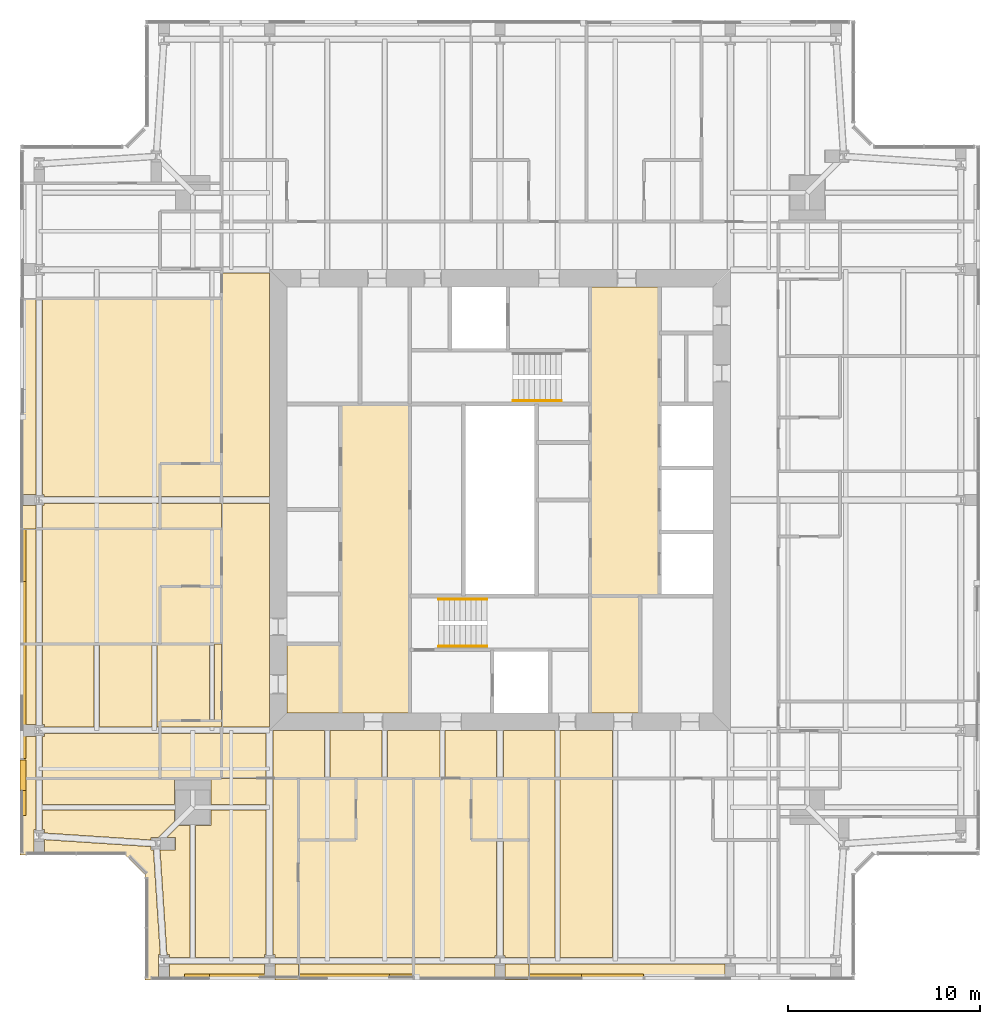
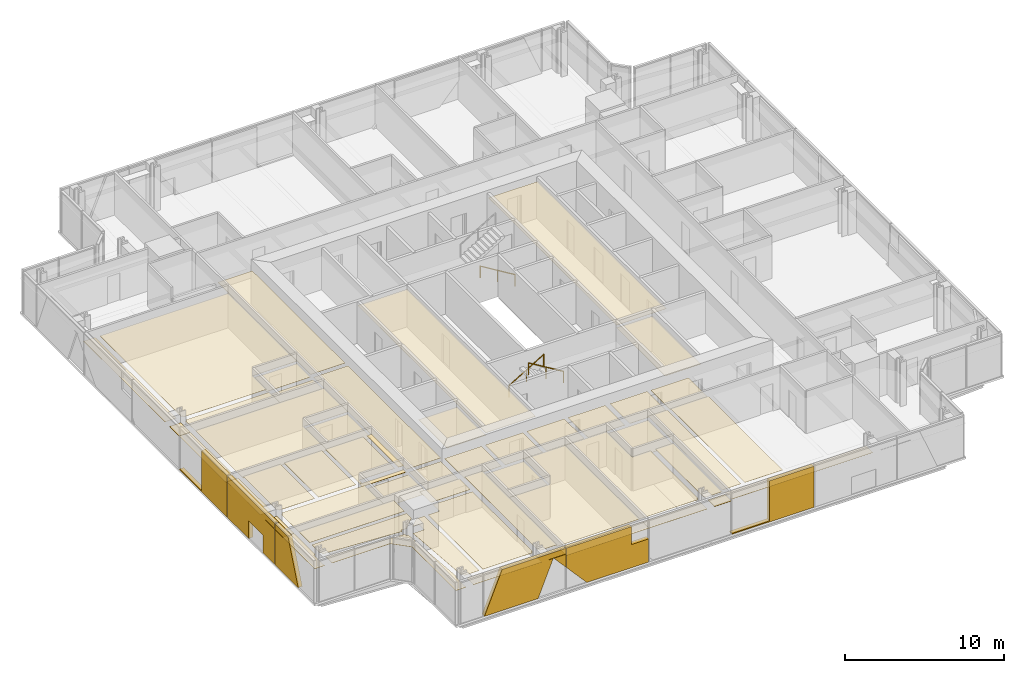
# One storey, part 16 of 18: 58 coverings, 3 railings.
"""IFC4 building model written with IfcOpenShell, lengths in metres."""

import ifcopenshell
import ifcopenshell.guid

model = None  # the IFC model being written
_history = None  # IfcOwnerHistory: only IFC2X3 demands one
_inside = {}  # id of a spatial element -> (the spatial element, [elements in it])
_under = {}  # id of a project, library or spatial element -> (it, [spatial elements below it])
_declared = {}  # id of a project -> (the project, [libraries it declares])
_typed = {}  # id of a type object -> (the type object, [elements of that type])
_made_of = {}  # id of a material, layer set ... -> (it, [elements and type objects made of it])


def new_model(schema):
    """Start an empty IFC model of exactly this schema.

    Asked for "IFC4X3", IfcOpenShell would pick the latest addendum, in which some entities
    have other attributes; the version numbers below select the first issue.
    IFC2X3 requires an IfcOwnerHistory on every rooted entity: one is made here for all.
    """
    global model, _history
    if schema == "IFC4X3":
        model = ifcopenshell.file(schema_version=(4, 3, 0, 0))
    else:
        model = ifcopenshell.file(schema=schema)
    _inside.clear()
    _under.clear()
    _declared.clear()
    _typed.clear()
    _made_of.clear()
    _history = None
    if model.schema == "IFC2X3":
        org = make("IfcOrganization", Name="unknown")
        user = make(
            "IfcPersonAndOrganization",
            ThePerson=make("IfcPerson", FamilyName="unknown"),
            TheOrganization=org,
        )
        app = make(
            "IfcApplication",
            ApplicationDeveloper=org,
            Version="unknown",
            ApplicationFullName="unknown",
            ApplicationIdentifier="unknown",
        )
        _history = make(
            "IfcOwnerHistory",
            OwningUser=user,
            OwningApplication=app,
            ChangeAction="ADDED",
            CreationDate=0,
        )
    return model


def make(cls, **values):
    """One entity of the class cls with the attributes given. An attribute that is None is left unset."""
    return model.create_entity(
        cls, **{name: value for name, value in values.items() if value is not None}
    )


def rooted(cls, **values):
    """An entity with a GlobalId (a new one), such as an element, a storey or a relation."""
    return make(cls, GlobalId=ifcopenshell.guid.new(), OwnerHistory=_history, **values)


def si_unit(unit_type, name, prefix=None):
    """IfcSIUnit, for example si_unit("LENGTHUNIT", "METRE", prefix="MILLI")."""
    return make("IfcSIUnit", UnitType=unit_type, Prefix=prefix, Name=name)


def assignment(units):
    """IfcUnitAssignment: the units of a project."""
    return None if units is None else make("IfcUnitAssignment", Units=units)


def point(xyz):
    """IfcCartesianPoint."""
    return None if xyz is None else make("IfcCartesianPoint", Coordinates=xyz)


def direction(xyz):
    """IfcDirection."""
    return None if xyz is None else make("IfcDirection", DirectionRatios=xyz)


def frame(location, z_axis=None, x_axis=None):
    """IfcAxis2Placement3D, a coordinate frame: its origin and axes. An axis left out is left unset."""
    return make(
        "IfcAxis2Placement3D",
        Location=point(location),
        Axis=direction(z_axis),
        RefDirection=direction(x_axis),
    )


def frame_2d(location, x_axis=None):
    """IfcAxis2Placement2D, a coordinate frame in the plane: its origin and x axis."""
    return make(
        "IfcAxis2Placement2D", Location=point(location), RefDirection=direction(x_axis)
    )


def origin():
    """The frame at (0, 0, 0) with its axes left unset."""
    return frame((0.0, 0.0, 0.0))


def origin_2d():
    """The frame at (0, 0) in the plane with its x axis left unset."""
    return frame_2d((0.0, 0.0))


def place(relative_to, where):
    """IfcLocalPlacement: puts the frame where relative to a parent placement (None: the world)."""
    return make(
        "IfcLocalPlacement", PlacementRelTo=relative_to, RelativePlacement=where
    )


def context(
    kind, dimensions, precision=None, world=None, true_north=None, identifier=None
):
    """IfcGeometricRepresentationContext, for example the 3D "Model" context."""
    return make(
        "IfcGeometricRepresentationContext",
        ContextIdentifier=identifier,
        ContextType=kind,
        CoordinateSpaceDimension=dimensions,
        Precision=precision,
        WorldCoordinateSystem=world,
        TrueNorth=true_north,
    )


def subcontext(parent, identifier, kind, view, scale=None):
    """IfcGeometricRepresentationSubContext, for example "Body" below "Model"."""
    return make(
        "IfcGeometricRepresentationSubContext",
        ContextIdentifier=identifier,
        ContextType=kind,
        ParentContext=parent,
        TargetScale=scale,
        TargetView=view,
    )


def project(units=None, contexts=None):
    """IfcProject with its units and contexts."""
    return rooted(
        "IfcProject",
        Name="project",
        RepresentationContexts=contexts,
        UnitsInContext=assignment(units),
    )


def spatial(cls, under=None, at=None, **own):
    """A site, building, storey or space (cls), placed at a placement, below another one or the project."""
    s = rooted(cls, ObjectPlacement=at, **own)
    if under is not None:
        _under.setdefault(under.id(), (under, []))[1].append(s)
    return s


def polyline(points):
    """IfcPolyline through the points."""
    return make("IfcPolyline", Points=[point(p) for p in points])


def profile(cls, at=None, kind="AREA", **sizes):
    """A parametric profile (cls). Its sizes go by their IFC names, for example OverallWidth=200.0."""
    return make(cls, ProfileType=kind, Position=at, **sizes)


def circle(**sizes):
    """IfcCircleProfileDef."""
    return profile("IfcCircleProfileDef", **sizes)


def outline(outer, holes=None, kind="AREA"):
    """IfcArbitraryClosedProfileDef: a profile drawn as a closed curve; with holes, ...WithVoids."""
    if holes is None:
        return make("IfcArbitraryClosedProfileDef", ProfileType=kind, OuterCurve=outer)
    return make(
        "IfcArbitraryProfileDefWithVoids",
        ProfileType=kind,
        OuterCurve=outer,
        InnerCurves=holes,
    )


def extrude(swept, where, along, depth):
    """IfcExtrudedAreaSolid: the profile swept, set in the frame where, extruded along a direction by depth."""
    return make(
        "IfcExtrudedAreaSolid",
        SweptArea=swept,
        Position=where,
        ExtrudedDirection=direction(along),
        Depth=depth,
    )


def shape(context_of_items, identifier, shape_type, items):
    """IfcShapeRepresentation: the items that make up one representation, for example the "Body"."""
    return make(
        "IfcShapeRepresentation",
        ContextOfItems=context_of_items,
        RepresentationIdentifier=identifier,
        RepresentationType=shape_type,
        Items=items,
    )


def material(Name=None, Category=None):
    """IfcMaterial."""
    return make("IfcMaterial", Name=Name, Category=Category)


def layer(
    of_material, thickness, ventilated=None, Name=None, Category=None, Priority=None
):
    """IfcMaterialLayer: one layer of a wall or slab, of a material (None: an air gap)."""
    return make(
        "IfcMaterialLayer",
        Material=of_material,
        LayerThickness=thickness,
        IsVentilated=ventilated,
        Name=Name,
        Category=Category,
        Priority=Priority,
    )


def layer_set(layers, Name=None):
    """IfcMaterialLayerSet."""
    return make("IfcMaterialLayerSet", MaterialLayers=layers, LayerSetName=Name)


def made_of(thing, what):
    """Note that an element or type object is made of a material, layer set ...; save() writes the relation."""
    if what is not None:
        _made_of.setdefault(what.id(), (what, []))[1].append(thing)
    return thing


def type_object(cls, material=None, **own):
    """A type object (cls), such as IfcWallType, which elements share."""
    return made_of(rooted(cls, **own), material)


def element(
    cls,
    number,
    at=None,
    inside=None,
    cuts=None,
    type_object=None,
    material=None,
    context=None,
    identifier="Body",
    shape_type=None,
    held_by="IfcProductDefinitionShape",
    body=None,
    shapes=None,
    **own,
):
    """One element of the class cls, such as IfcWall. Its Tag is "e" and its number.

    at: its placement. inside: the storey or other place that contains it. cuts: it is an
    opening in that element (IfcRelVoidsElement). A single representation is given by context,
    identifier, shape_type and body (its items); several are given by shapes. held_by: the class
    of the entity that holds the representations. save() writes the other relations.
    """
    e = rooted(cls, Tag="e%d" % number, ObjectPlacement=at, **own)
    if body is not None:
        shapes = [shape(context, identifier, shape_type, body)]
    if shapes is not None:
        e.Representation = make(held_by, Representations=shapes)
    if inside is not None:
        _inside.setdefault(inside.id(), (inside, []))[1].append(e)
    if cuts is not None:
        rooted(
            "IfcRelVoidsElement", RelatingBuildingElement=cuts, RelatedOpeningElement=e
        )
    if type_object is not None:
        _typed.setdefault(type_object.id(), (type_object, []))[1].append(e)
    return made_of(e, material)


def aggregate(whole, parts):
    """IfcRelAggregates: a whole, such as a stair, and the parts it consists of."""
    return rooted("IfcRelAggregates", RelatingObject=whole, RelatedObjects=parts)


def save(model, path):
    """Write the relations noted so far, then the file.

    IfcRelAggregates (storeys below a building ...), IfcRelContainedInSpatialStructure (elements
    in a storey), IfcRelDefinesByType, IfcRelAssociatesMaterial and IfcRelDeclares: one each for
    every whole, place, type object, material and project.
    """
    for whole, parts in _under.values():
        aggregate(whole, parts)
    for where, things in _inside.values():
        rooted(
            "IfcRelContainedInSpatialStructure",
            RelatedElements=things,
            RelatingStructure=where,
        )
    for kind, things in _typed.values():
        rooted("IfcRelDefinesByType", RelatedObjects=things, RelatingType=kind)
    for what, things in _made_of.values():
        rooted("IfcRelAssociatesMaterial", RelatedObjects=things, RelatingMaterial=what)
    for by, libraries in _declared.values():
        rooted("IfcRelDeclares", RelatingContext=by, RelatedDefinitions=libraries)
    model.write(path)


model = new_model("IFC4")

# Units and contexts
model_context = context("Model", 3, precision=1e-05, world=origin(), true_north=direction((0.0, 1.0)))
body_context = subcontext(model_context, "Body", "Model", "MODEL_VIEW")
ifc_project = project(units=[si_unit("LENGTHUNIT", "METRE"), si_unit("AREAUNIT", "SQUARE_METRE"), si_unit("VOLUMEUNIT", "CUBIC_METRE"), si_unit("PLANEANGLEUNIT", "RADIAN"), si_unit("MASSUNIT", "GRAM", prefix="KILO")], contexts=[model_context])

# Site, building, storey
site_placement = place(None, origin())
site = spatial("IfcSite", under=ifc_project, at=site_placement, CompositionType="ELEMENT")
building_placement = place(site_placement, origin())
building = spatial("IfcBuilding", under=site, at=building_placement, Name="Fenwick Lantern Interchange", CompositionType="ELEMENT")
storey_placement = place(building_placement, frame((0.0, 0.0, 290.0)))
storey = spatial("IfcBuildingStorey", under=building, at=storey_placement, Name="L70", CompositionType="ELEMENT", Elevation=290.0)

# Coverings
ifc_material_1 = material(Name="Granite cladding, warm grey flamed finish, on aluminium carrier frame", Category="masonry")
ifc_layer_1 = layer(ifc_material_1, 0.300048828125)
ifc_layer_set_1 = layer_set([ifc_layer_1], Name="BRACE CASING PANEL 300")
covering_type_1 = type_object("IfcCoveringType", Name="BRACE CASING PANEL 300", PredefinedType="CLADDING", material=ifc_layer_set_1)
covering_1_placement = place(storey_placement, frame((6.60009765625, 0.10009765625, 0.0), z_axis=(0.0, 0.0, 1.0), x_axis=(1.0, 0.0, 0.0)))
element("IfcCovering", 1, at=covering_1_placement, inside=storey, type_object=covering_type_1, Name="Brace casing 01 bay 01a", PredefinedType="CLADDING", context=body_context, shape_type="SweptSolid", body=[
    extrude(outline(polyline([(1.9765625, 0.0), (5.864501953125, 0.0), (6.975830078125, 2.724365234375), (7.8701171875, 1.719482421875), (7.8701171875, 3.14990234375), (3.261474609375, 3.14990234375), (1.9765625, 0.0)])), frame((0.0, 0.2099609375, 0.0), z_axis=(0.0, -1.0, 0.0), x_axis=(1.0, 0.0, 0.0)), (0.0, 0.0, 1.0), 0.300048828125),
])
covering_2_placement = place(storey_placement, frame((6.60009765625, 0.10009765625, 0.0), z_axis=(0.0, 0.0, 1.0), x_axis=(1.0, 0.0, 0.0)))
element("IfcCovering", 2, at=covering_2_placement, inside=storey, type_object=covering_type_1, Name="Brace casing 01 bay 02a", PredefinedType="CLADDING", context=body_context, shape_type="SweptSolid", body=[
    extrude(outline(polyline([(9.400146484375, 0.0), (13.8701171875, 0.0), (13.8701171875, 1.7734375), (12.640869140625, 1.7734375), (12.640869140625, 3.14990234375), (7.929931640625, 3.14990234375), (7.929931640625, 1.652099609375), (9.400146484375, 0.0)])), frame((0.0, 0.2099609375, 0.0), z_axis=(0.0, -1.0, 0.0), x_axis=(1.0, 0.0, 0.0)), (0.0, 0.0, 1.0), 0.300048828125),
])
for number, where, z_axis, x_axis, name in (
    (3, (6.60009765625, 0.10009765625, 0.0), (0.0, 0.0, 1.0), (1.0, 0.0, 0.0), "Brace casing 01 bay 04a"),
    (4, (0.10009765625, 43.39990234375, 0.0), (0.0, 0.0, 1.0), (0.0, -1.0, 0.0), "Brace casing 13 bay 04a"),
):
    element("IfcCovering", number, at=place(storey_placement, frame(where, z_axis=z_axis, x_axis=x_axis)), inside=storey, type_object=covering_type_1, Name=name, PredefinedType="CLADDING", context=body_context, shape_type="SweptSolid", body=[
        extrude(outline(polyline([(19.929931640625, 0.0), (25.8701171875, 0.0), (25.8701171875, 3.14990234375), (22.655029296875, 3.14990234375), (22.655029296875, 0.083251953125), (19.929931640625, 0.083251953125), (19.929931640625, 0.0)])), frame((0.0, 0.2099609375, 0.0), z_axis=(0.0, -1.0, 0.0), x_axis=(1.0, 0.0, 0.0)), (0.0, 0.0, 1.0), 0.300048828125),
    ])
covering_3_placement = place(storey_placement, frame((0.10009765625, 43.39990234375, 0.0), z_axis=(0.0, 0.0, 1.0), x_axis=(0.0, -1.0, 0.0)))
element("IfcCovering", 5, at=covering_3_placement, inside=storey, type_object=covering_type_1, Name="Brace casing 13 bay 05a", PredefinedType="CLADDING", context=body_context, shape_type="SweptSolid", body=[
    extrude(outline(polyline([(25.929931640625, 0.0), (28.599853515625, 0.0), (28.599853515625, 1.348388671875), (30.385009765625, 1.348388671875), (30.385009765625, 0.0), (31.8701171875, 0.0), (31.8701171875, 3.14990234375), (25.929931640625, 3.14990234375), (25.929931640625, 0.0)])), frame((0.0, 0.2099609375, 0.0), z_axis=(0.0, -1.0, 0.0), x_axis=(1.0, 0.0, 0.0)), (0.0, 0.0, 1.0), 0.300048828125),
])
covering_4_placement = place(storey_placement, frame((0.10009765625, 43.39990234375, 0.0), z_axis=(0.0, 0.0, 1.0), x_axis=(0.0, -1.0, 0.0)))
element("IfcCovering", 6, at=covering_4_placement, inside=storey, type_object=covering_type_1, Name="Brace casing 13 bay 06a", PredefinedType="CLADDING", context=body_context, shape_type="SweptSolid", body=[
    extrude(outline(polyline([(31.929931640625, 0.0), (34.8232421875, 0.0), (33.53857421875, 3.14990234375), (31.929931640625, 3.14990234375), (31.929931640625, 0.0)])), frame((0.0, 0.2099609375, 0.0), z_axis=(0.0, -1.0, 0.0), x_axis=(1.0, 0.0, 0.0)), (0.0, 0.0, 1.0), 0.300048828125),
])

# Railings
ifc_material_2 = material(Name="Stainless steel handrail", Category="steel")
railing_type = type_object("IfcRailingType", Name="HANDRAIL 900", PredefinedType="HANDRAIL", material=ifc_material_2)
railing_1_placement = place(storey_placement, frame((21.800048828125, 19.825927734375, 0.169921875)))
element("IfcRailing", 7, at=railing_1_placement, inside=storey, type_object=railing_type, Name="L70/STAIR/ST1/HR1", PredefinedType="HANDRAIL", context=body_context, shape_type="SweptSolid", body=[
    extrude(circle(Radius=0.02392578125, at=origin_2d()), frame((0.0, 0.0, 0.8759765625), z_axis=(0.85478489116, 0.0, 0.518982456201), x_axis=(0.0, 1.0, 0.0)), (0.0, 0.0, 1.0), 2.9482421875),
    extrude(circle(Radius=0.02099609375, at=origin_2d()), origin(), (0.0, 0.0, 1.0), 0.851806640625),
    extrude(circle(Radius=0.02099609375, at=origin_2d()), frame((1.260009765625, 0.0, 0.76513671875)), (0.0, 0.0, 1.0), 0.851806640625),
    extrude(circle(Radius=0.02099609375, at=origin_2d()), frame((2.52001953125, 0.0, 1.530029296875)), (0.0, 0.0, 1.0), 0.851806640625),
])
railing_2_placement = place(storey_placement, frame((24.320068359375, 17.3740234375, 1.8701171875)))
element("IfcRailing", 8, at=railing_2_placement, inside=storey, type_object=railing_type, Name="L70/STAIR/ST1/HR2", PredefinedType="HANDRAIL", context=body_context, shape_type="SweptSolid", body=[
    extrude(circle(Radius=0.02392578125, at=origin_2d()), frame((0.0, 0.0, 0.8759765625), z_axis=(-0.854821627497, 0.0, 0.518921945155), x_axis=(0.0, -1.0, 0.0)), (0.0, 0.0, 1.0), 2.947998046875),
    extrude(circle(Radius=0.02099609375, at=origin_2d()), origin(), (0.0, 0.0, 1.0), 0.851806640625),
    extrude(circle(Radius=0.02099609375, at=origin_2d()), frame((-1.260009765625, 0.0, 0.764892578125)), (0.0, 0.0, 1.0), 0.851806640625),
    extrude(circle(Radius=0.02099609375, at=origin_2d()), frame((-2.52001953125, 0.0, 1.52978515625)), (0.0, 0.0, 1.0), 0.851806640625),
])
railing_3_placement = place(storey_placement, frame((28.199951171875, 30.174072265625, 0.169921875)))
element("IfcRailing", 9, at=railing_3_placement, inside=storey, type_object=railing_type, Name="L70/STAIR/ST2/HR1", PredefinedType="HANDRAIL", context=body_context, shape_type="SweptSolid", body=[
    extrude(circle(Radius=0.02392578125, at=origin_2d()), frame((0.0, 0.0, 0.8759765625), z_axis=(-0.85478489116, 0.0, 0.518982456201), x_axis=(0.0, -1.0, 0.0)), (0.0, 0.0, 1.0), 2.9482421875),
    extrude(circle(Radius=0.02099609375, at=origin_2d()), origin(), (0.0, 0.0, 1.0), 0.851806640625),
    extrude(circle(Radius=0.02099609375, at=origin_2d()), frame((-1.260009765625, 0.0, 0.76513671875)), (0.0, 0.0, 1.0), 0.851806640625),
    extrude(circle(Radius=0.02099609375, at=origin_2d()), frame((-2.52001953125, 0.0, 1.530029296875)), (0.0, 0.0, 1.0), 0.851806640625),
])

# Coverings
ifc_material_3 = material(Name="Moisture resistant gypsum board on suspended frame, painted")
ifc_layer_2 = layer(ifc_material_3, 0.014892578125)
ifc_layer_set_2 = layer_set([ifc_layer_2], Name="MOISTURE RESISTANT CEILING 15")
covering_type_2 = type_object("IfcCoveringType", Name="MOISTURE RESISTANT CEILING 15", PredefinedType="CEILING", material=ifc_layer_set_2)
covering_5_placement = place(storey_placement, frame((0.0, 0.0, 2.60009765625)))
element("IfcCovering", 10, at=covering_5_placement, inside=storey, type_object=covering_type_2, Name="Men's WC ceiling", PredefinedType="CEILING", context=body_context, shape_type="SweptSolid", body=[
    extrude(outline(polyline([(29.699951171875, 13.89990234375), (32.300048828125, 13.89990234375), (32.300048828125, 20.0), (29.699951171875, 20.0), (29.699951171875, 13.89990234375)])), origin(), (0.0, 0.0, 1.0), 0.014892578125),
])
covering_6_placement = place(storey_placement, frame((0.0, 0.0, 2.60009765625)))
element("IfcCovering", 11, at=covering_6_placement, inside=storey, type_object=covering_type_2, Name="Accessible WC and shower ceiling", PredefinedType="CEILING", context=body_context, shape_type="SweptSolid", body=[
    extrude(outline(polyline([(13.89990234375, 13.89990234375), (16.699951171875, 13.89990234375), (16.699951171875, 17.5), (13.89990234375, 17.5), (13.89990234375, 13.89990234375)])), origin(), (0.0, 0.0, 1.0), 0.014892578125),
])
covering_7_placement = place(storey_placement, frame((0.0, 0.0, 2.39990234375)))
element("IfcCovering", 12, at=covering_7_placement, inside=storey, type_object=covering_type_2, Name="En-suite 7001 ceiling", PredefinedType="CEILING", context=body_context, shape_type="SweptSolid", body=[
    extrude(outline(polyline([(14.5, 7.300048828125), (17.5, 7.300048828125), (17.5, 10.5), (14.5, 10.5), (14.5, 7.300048828125)])), origin(), (0.0, 0.0, 1.0), 0.01513671875),
])
covering_8_placement = place(storey_placement, frame((0.0, 0.0, 2.39990234375)))
element("IfcCovering", 13, at=covering_8_placement, inside=storey, type_object=covering_type_2, Name="En-suite 7002 ceiling", PredefinedType="CEILING", context=body_context, shape_type="SweptSolid", body=[
    extrude(outline(polyline([(23.5, 7.300048828125), (26.5, 7.300048828125), (26.5, 10.5), (23.5, 10.5), (23.5, 7.300048828125)])), origin(), (0.0, 0.0, 1.0), 0.01513671875),
])
covering_9_placement = place(storey_placement, frame((0.0, 0.0, 2.39990234375)))
element("IfcCovering", 14, at=covering_9_placement, inside=storey, type_object=covering_type_2, Name="En-suite 7012 ceiling", PredefinedType="CEILING", context=body_context, shape_type="SweptSolid", body=[
    extrude(outline(polyline([(7.300048828125, 26.89990234375), (7.300048828125, 25.175048828125), (10.5, 25.175048828125), (10.5, 26.89990234375), (7.300048828125, 26.89990234375)])), origin(), (0.0, 0.0, 1.0), 0.01513671875),
])
covering_10_placement = place(storey_placement, frame((0.0, 0.0, 2.39990234375)))
element("IfcCovering", 15, at=covering_10_placement, inside=storey, type_object=covering_type_2, Name="En-suite 7012 ceiling", PredefinedType="CEILING", context=body_context, shape_type="SweptSolid", body=[
    extrude(outline(polyline([(10.5, 23.5), (10.5, 24.824951171875), (7.300048828125, 24.824951171875), (7.300048828125, 23.5), (10.5, 23.5)])), origin(), (0.0, 0.0, 1.0), 0.01513671875),
])
covering_11_placement = place(storey_placement, frame((0.0, 0.0, 2.39990234375)))
element("IfcCovering", 16, at=covering_11_placement, inside=storey, type_object=covering_type_2, Name="En-suite 7013 ceiling", PredefinedType="CEILING", context=body_context, shape_type="SweptSolid", body=[
    extrude(outline(polyline([(7.300048828125, 20.5), (7.300048828125, 17.5), (10.5, 17.5), (10.5, 20.5), (7.300048828125, 20.5)])), origin(), (0.0, 0.0, 1.0), 0.01513671875),
])
covering_12_placement = place(storey_placement, frame((0.0, 0.0, 2.39990234375)))
element("IfcCovering", 17, at=covering_12_placement, inside=storey, type_object=covering_type_2, Name="En-suite 7014 ceiling", PredefinedType="CEILING", context=body_context, shape_type="SweptSolid", body=[
    extrude(outline(polyline([(10.5, 10.5), (10.5, 12.833984375), (7.300048828125, 12.833984375), (7.300048828125, 10.5), (10.5, 10.5)])), origin(), (0.0, 0.0, 1.0), 0.01513671875),
])
covering_13_placement = place(storey_placement, frame((0.0, 0.0, 2.39990234375)))
element("IfcCovering", 18, at=covering_13_placement, inside=storey, type_object=covering_type_2, Name="En-suite 7014 ceiling", PredefinedType="CEILING", context=body_context, shape_type="SweptSolid", body=[
    extrude(outline(polyline([(7.300048828125, 13.5), (7.300048828125, 13.166015625), (10.5, 13.166015625), (10.5, 13.5), (7.300048828125, 13.5)])), origin(), (0.0, 0.0, 1.0), 0.01513671875),
])
ifc_material_4 = material(Name="Gypsum plasterboard on suspended frame, painted")
ifc_layer_3 = layer(ifc_material_4, 0.014892578125)
ifc_layer_set_3 = layer_set([ifc_layer_3], Name="PLASTERBOARD CEILING 15")
covering_type_3 = type_object("IfcCoveringType", Name="PLASTERBOARD CEILING 15", PredefinedType="CEILING", material=ifc_layer_set_3)
covering_14_placement = place(storey_placement, frame((0.0, 0.0, 2.800048828125)))
element("IfcCovering", 19, at=covering_14_placement, inside=storey, type_object=covering_type_3, Name="Lift lobby ceiling", PredefinedType="CEILING", context=body_context, shape_type="SweptSolid", body=[
    extrude(outline(polyline([(16.699951171875, 13.89990234375), (20.300048828125, 13.89990234375), (20.300048828125, 30.0), (16.699951171875, 30.0), (16.699951171875, 13.89990234375)])), origin(), (0.0, 0.0, 1.0), 0.014892578125),
])
covering_15_placement = place(storey_placement, frame((0.0, 0.0, 2.800048828125)))
element("IfcCovering", 20, at=covering_15_placement, inside=storey, type_object=covering_type_3, Name="Lift lobby ceiling", PredefinedType="CEILING", context=body_context, shape_type="SweptSolid", body=[
    extrude(outline(polyline([(33.300048828125, 36.10009765625), (29.699951171875, 36.10009765625), (29.699951171875, 20.0), (33.300048828125, 20.0), (33.300048828125, 36.10009765625)])), origin(), (0.0, 0.0, 1.0), 0.014892578125),
])
covering_16_placement = place(storey_placement, frame((0.0, 0.0, 2.60009765625)))
element("IfcCovering", 21, at=covering_16_placement, inside=storey, type_object=covering_type_3, Name="Corridor ceiling", PredefinedType="CEILING", context=body_context, shape_type="SweptSolid", body=[
    extrude(outline(polyline([(10.5, 36.833984375), (10.5, 25.175048828125), (13.0, 25.175048828125), (13.0, 36.833984375), (10.5, 36.833984375)])), origin(), (0.0, 0.0, 1.0), 0.014892578125),
])
covering_17_placement = place(storey_placement, frame((0.0, 0.0, 2.60009765625)))
element("IfcCovering", 22, at=covering_17_placement, inside=storey, type_object=covering_type_3, Name="Corridor ceiling", PredefinedType="CEILING", context=body_context, shape_type="SweptSolid", body=[
    extrude(outline(polyline([(10.5, 24.824951171875), (10.5, 13.166015625), (13.0, 13.166015625), (13.0, 24.824951171875), (10.5, 24.824951171875)])), origin(), (0.0, 0.0, 1.0), 0.014892578125),
])
covering_18_placement = place(storey_placement, frame((0.0, 0.0, 2.60009765625)))
element("IfcCovering", 23, at=covering_18_placement, inside=storey, type_object=covering_type_3, Name="Corridor ceiling", PredefinedType="CEILING", context=body_context, shape_type="SweptSolid", body=[
    extrude(outline(polyline([(16.134521484375, 10.5), (18.865478515625, 10.5), (18.865478515625, 13.0), (16.134521484375, 13.0), (16.134521484375, 10.5)])), origin(), (0.0, 0.0, 1.0), 0.014892578125),
])
covering_19_placement = place(storey_placement, frame((0.0, 0.0, 2.60009765625)))
element("IfcCovering", 24, at=covering_19_placement, inside=storey, type_object=covering_type_3, Name="Corridor ceiling", PredefinedType="CEILING", context=body_context, shape_type="SweptSolid", body=[
    extrude(outline(polyline([(19.134521484375, 10.5), (21.865478515625, 10.5), (21.865478515625, 13.0), (19.134521484375, 13.0), (19.134521484375, 10.5)])), origin(), (0.0, 0.0, 1.0), 0.014892578125),
])
covering_20_placement = place(storey_placement, frame((0.0, 0.0, 2.60009765625)))
element("IfcCovering", 25, at=covering_20_placement, inside=storey, type_object=covering_type_3, Name="Corridor ceiling", PredefinedType="CEILING", context=body_context, shape_type="SweptSolid", body=[
    extrude(outline(polyline([(28.134521484375, 10.5), (30.865478515625, 10.5), (30.865478515625, 13.0), (28.134521484375, 13.0), (28.134521484375, 10.5)])), origin(), (0.0, 0.0, 1.0), 0.014892578125),
])
covering_21_placement = place(storey_placement, frame((0.0, 0.0, 2.60009765625)))
element("IfcCovering", 26, at=covering_21_placement, inside=storey, type_object=covering_type_3, Name="Corridor ceiling", PredefinedType="CEILING", context=body_context, shape_type="SweptSolid", body=[
    extrude(outline(polyline([(13.183837890625, 10.5), (15.865478515625, 10.5), (15.865478515625, 13.0), (13.183837890625, 13.0), (13.183837890625, 10.5)])), origin(), (0.0, 0.0, 1.0), 0.014892578125),
])
covering_22_placement = place(storey_placement, frame((0.0, 0.0, 2.60009765625)))
element("IfcCovering", 27, at=covering_22_placement, inside=storey, type_object=covering_type_3, Name="Corridor ceiling", PredefinedType="CEILING", context=body_context, shape_type="SweptSolid", body=[
    extrude(outline(polyline([(22.134521484375, 10.5), (24.816162109375, 10.5), (24.816162109375, 13.0), (22.134521484375, 13.0), (22.134521484375, 10.5)])), origin(), (0.0, 0.0, 1.0), 0.014892578125),
])
covering_23_placement = place(storey_placement, frame((0.0, 0.0, 2.60009765625)))
element("IfcCovering", 28, at=covering_23_placement, inside=storey, type_object=covering_type_3, Name="Corridor ceiling", PredefinedType="CEILING", context=body_context, shape_type="SweptSolid", body=[
    extrude(outline(polyline([(25.183837890625, 10.5), (27.865478515625, 10.5), (27.865478515625, 13.0), (25.183837890625, 13.0), (25.183837890625, 10.5)])), origin(), (0.0, 0.0, 1.0), 0.014892578125),
])
covering_24_placement = place(storey_placement, frame((0.0, 0.0, 2.60009765625)))
element("IfcCovering", 29, at=covering_24_placement, inside=storey, type_object=covering_type_3, Name="Corridor ceiling", PredefinedType="CEILING", context=body_context, shape_type="SweptSolid", body=[
    extrude(outline(polyline([(10.5, 10.5), (12.816162109375, 10.5), (12.816162109375, 12.833984375), (10.5, 12.833984375), (10.5, 10.5)])), origin(), (0.0, 0.0, 1.0), 0.014892578125),
])
covering_25_placement = place(storey_placement, frame((0.0, 0.0, 2.699951171875)))
element("IfcCovering", 30, at=covering_25_placement, inside=storey, type_object=covering_type_3, Name="Guest suite 7001 sitting room ceiling", PredefinedType="CEILING", context=body_context, shape_type="SweptSolid", body=[
    extrude(outline(polyline([(9.949951171875, 8.050048828125), (9.134521484375, 8.050048828125), (9.134521484375, 1.17236328125), (12.72900390625, 1.17236328125), (12.72900390625, 1.3154296875), (12.816162109375, 1.3154296875), (12.816162109375, 8.865478515625), (9.949951171875, 8.865478515625), (9.949951171875, 8.050048828125)])), origin(), (0.0, 0.0, 1.0), 0.01513671875),
])
covering_26_placement = place(storey_placement, frame((0.0, 0.0, 2.699951171875)))
element("IfcCovering", 31, at=covering_26_placement, inside=storey, type_object=covering_type_3, Name="Guest suite 7001 sitting room ceiling", PredefinedType="CEILING", context=body_context, shape_type="SweptSolid", body=[
    extrude(outline(polyline([(14.5, 10.5), (13.183837890625, 10.5), (13.183837890625, 1.3154296875), (13.27099609375, 1.3154296875), (13.27099609375, 1.17236328125), (14.5, 1.17236328125), (14.5, 10.5)])), origin(), (0.0, 0.0, 1.0), 0.01513671875),
])
covering_27_placement = place(storey_placement, frame((0.0, 0.0, 2.699951171875)))
element("IfcCovering", 32, at=covering_27_placement, inside=storey, type_object=covering_type_3, Name="Guest suite 7001 sitting room ceiling", PredefinedType="CEILING", context=body_context, shape_type="SweptSolid", body=[
    extrude(outline(polyline([(8.050048828125, 9.134521484375), (8.050048828125, 10.5), (1.17236328125, 10.5), (1.17236328125, 9.134521484375), (8.050048828125, 9.134521484375)])), origin(), (0.0, 0.0, 1.0), 0.01513671875),
])
covering_28_placement = place(storey_placement, frame((0.0, 0.0, 2.699951171875)))
element("IfcCovering", 33, at=covering_28_placement, inside=storey, type_object=covering_type_3, Name="Guest suite 7001 sitting room ceiling", PredefinedType="CEILING", context=body_context, shape_type="SweptSolid", body=[
    extrude(outline(polyline([(8.050048828125, 8.266845703125), (8.050048828125, 8.865478515625), (1.17236328125, 8.865478515625), (1.17236328125, 7.83447265625), (1.27734375, 7.83447265625), (1.27734375, 7.654541015625), (6.82275390625, 7.291015625), (6.82275390625, 7.4345703125), (7.217529296875, 7.4345703125), (8.050048828125, 8.266845703125)])), origin(), (0.0, 0.0, 1.0), 0.01513671875),
])
covering_29_placement = place(storey_placement, frame((0.0, 0.0, 2.699951171875)))
element("IfcCovering", 34, at=covering_29_placement, inside=storey, type_object=covering_type_3, Name="Guest suite 7001 sitting room ceiling", PredefinedType="CEILING", context=body_context, shape_type="SweptSolid", body=[
    extrude(outline(polyline([(8.865478515625, 8.050048828125), (8.266845703125, 8.050048828125), (7.6513671875, 7.4345703125), (8.10009765625, 7.4345703125), (8.10009765625, 6.765625), (7.294677734375, 6.765625), (7.65087890625, 1.33447265625), (7.77734375, 1.33447265625), (7.77734375, 1.17236328125), (8.865478515625, 1.17236328125), (8.865478515625, 8.050048828125)])), origin(), (0.0, 0.0, 1.0), 0.01513671875),
])
covering_30_placement = place(storey_placement, frame((0.0, 0.0, 2.699951171875)))
element("IfcCovering", 35, at=covering_30_placement, inside=storey, type_object=covering_type_3, Name="Guest suite 7001 sitting room ceiling", PredefinedType="CEILING", context=body_context, shape_type="SweptSolid", body=[
    extrude(outline(polyline([(7.22265625, 1.33447265625), (7.30517578125, 1.33447265625), (6.94921875, 6.765625), (6.82275390625, 6.765625), (6.82275390625, 6.9453125), (1.27734375, 7.30908203125), (1.27734375, 6.5), (5.5, 6.5), (6.5, 5.5), (6.5, 0.0), (7.22265625, 0.0), (7.22265625, 1.33447265625)])), origin(), (0.0, 0.0, 1.0), 0.01513671875),
])
covering_31_placement = place(storey_placement, frame((0.0, 0.0, 2.699951171875)))
element("IfcCovering", 36, at=covering_31_placement, inside=storey, type_object=covering_type_3, Name="Guest suite 7001 sitting room ceiling", PredefinedType="CEILING", context=body_context, shape_type="SweptSolid", body=[
    extrude(outline(polyline([(12.72900390625, 0.0), (12.72900390625, 0.82763671875), (7.77734375, 0.82763671875), (7.77734375, 0.0), (12.72900390625, 0.0)])), origin(), (0.0, 0.0, 1.0), 0.01513671875),
])
covering_32_placement = place(storey_placement, frame((0.0, 0.0, 2.699951171875)))
element("IfcCovering", 37, at=covering_32_placement, inside=storey, type_object=covering_type_3, Name="Guest suite 7001 sitting room ceiling", PredefinedType="CEILING", context=body_context, shape_type="SweptSolid", body=[
    extrude(outline(polyline([(9.949951171875, 10.5), (9.949951171875, 9.134521484375), (12.816162109375, 9.134521484375), (12.816162109375, 10.5), (9.949951171875, 10.5)])), origin(), (0.0, 0.0, 1.0), 0.01513671875),
])
covering_33_placement = place(storey_placement, frame((0.0, 0.0, 2.699951171875)))
element("IfcCovering", 38, at=covering_33_placement, inside=storey, type_object=covering_type_3, Name="Guest suite 7001 sitting room ceiling", PredefinedType="CEILING", context=body_context, shape_type="SweptSolid", body=[
    extrude(outline(polyline([(0.72265625, 7.83447265625), (0.82763671875, 7.83447265625), (0.82763671875, 10.5), (0.0, 10.5), (0.0, 6.5), (0.72265625, 6.5), (0.72265625, 7.83447265625)])), origin(), (0.0, 0.0, 1.0), 0.01513671875),
])
covering_34_placement = place(storey_placement, frame((0.0, 0.0, 2.699951171875)))
element("IfcCovering", 39, at=covering_34_placement, inside=storey, type_object=covering_type_3, Name="Guest suite 7001 sitting room ceiling", PredefinedType="CEILING", context=body_context, shape_type="SweptSolid", body=[
    extrude(outline(polyline([(14.5, 0.0), (14.5, 0.82763671875), (13.27099609375, 0.82763671875), (13.27099609375, 0.0), (14.5, 0.0)])), origin(), (0.0, 0.0, 1.0), 0.01513671875),
])
covering_35_placement = place(storey_placement, frame((0.0, 0.0, 2.57275390625)))
element("IfcCovering", 40, at=covering_35_placement, inside=storey, type_object=covering_type_3, Name="Guest suite 7001 bedroom ceiling", PredefinedType="CEILING", context=body_context, shape_type="SweptSolid", body=[
    extrude(outline(polyline([(20.5, 1.17236328125), (20.5, 10.5), (17.5, 10.5), (17.5, 7.300048828125), (14.5, 7.300048828125), (14.5, 1.17236328125), (20.5, 1.17236328125)])), origin(), (0.0, 0.0, 1.0), 0.01513671875),
])
covering_36_placement = place(storey_placement, frame((0.0, 0.0, 2.57275390625)))
element("IfcCovering", 41, at=covering_36_placement, inside=storey, type_object=covering_type_3, Name="Guest suite 7001 bedroom ceiling", PredefinedType="CEILING", context=body_context, shape_type="SweptSolid", body=[
    extrude(outline(polyline([(20.5, 0.0), (20.5, 0.82763671875), (14.5, 0.82763671875), (14.5, 0.0), (20.5, 0.0)])), origin(), (0.0, 0.0, 1.0), 0.01513671875),
])
covering_37_placement = place(storey_placement, frame((0.0, 0.0, 2.57275390625)))
element("IfcCovering", 42, at=covering_37_placement, inside=storey, type_object=covering_type_3, Name="Guest room 7002 ceiling", PredefinedType="CEILING", context=body_context, shape_type="SweptSolid", body=[
    extrude(outline(polyline([(24.73779296875, 1.28759765625), (24.816162109375, 1.28759765625), (24.816162109375, 7.300048828125), (23.5, 7.300048828125), (23.5, 10.5), (20.5, 10.5), (20.5, 1.17236328125), (24.73779296875, 1.17236328125), (24.73779296875, 1.28759765625)])), origin(), (0.0, 0.0, 1.0), 0.01513671875),
])
covering_38_placement = place(storey_placement, frame((0.0, 0.0, 2.57275390625)))
element("IfcCovering", 43, at=covering_38_placement, inside=storey, type_object=covering_type_3, Name="Guest room 7002 ceiling", PredefinedType="CEILING", context=body_context, shape_type="SweptSolid", body=[
    extrude(outline(polyline([(25.26220703125, 1.28759765625), (25.26220703125, 1.17236328125), (26.5, 1.17236328125), (26.5, 7.300048828125), (25.183837890625, 7.300048828125), (25.183837890625, 1.28759765625), (25.26220703125, 1.28759765625)])), origin(), (0.0, 0.0, 1.0), 0.01513671875),
])
covering_39_placement = place(storey_placement, frame((0.0, 0.0, 2.57275390625)))
element("IfcCovering", 44, at=covering_39_placement, inside=storey, type_object=covering_type_3, Name="Guest room 7002 ceiling", PredefinedType="CEILING", context=body_context, shape_type="SweptSolid", body=[
    extrude(outline(polyline([(24.73779296875, 0.0), (24.73779296875, 0.82763671875), (20.5, 0.82763671875), (20.5, 0.0), (24.73779296875, 0.0)])), origin(), (0.0, 0.0, 1.0), 0.01513671875),
])
covering_40_placement = place(storey_placement, frame((0.0, 0.0, 2.57275390625)))
element("IfcCovering", 45, at=covering_40_placement, inside=storey, type_object=covering_type_3, Name="Guest room 7002 ceiling", PredefinedType="CEILING", context=body_context, shape_type="SweptSolid", body=[
    extrude(outline(polyline([(25.26220703125, 0.82763671875), (25.26220703125, 0.0), (26.5, 0.0), (26.5, 0.82763671875), (25.26220703125, 0.82763671875)])), origin(), (0.0, 0.0, 1.0), 0.01513671875),
])
covering_41_placement = place(storey_placement, frame((0.0, 0.0, 2.699951171875)))
element("IfcCovering", 46, at=covering_41_placement, inside=storey, type_object=covering_type_3, Name="Guest suite 7003 ceiling", PredefinedType="CEILING", context=body_context, shape_type="SweptSolid", body=[
    extrude(outline(polyline([(30.865478515625, 10.5), (28.134521484375, 10.5), (28.134521484375, 1.17236328125), (30.865478515625, 1.17236328125), (30.865478515625, 10.5)])), origin(), (0.0, 0.0, 1.0), 0.01513671875),
])
covering_42_placement = place(storey_placement, frame((0.0, 0.0, 2.699951171875)))
element("IfcCovering", 47, at=covering_42_placement, inside=storey, type_object=covering_type_3, Name="Guest suite 7003 ceiling", PredefinedType="CEILING", context=body_context, shape_type="SweptSolid", body=[
    extrude(outline(polyline([(26.5, 10.5), (26.5, 1.17236328125), (27.865478515625, 1.17236328125), (27.865478515625, 10.5), (26.5, 10.5)])), origin(), (0.0, 0.0, 1.0), 0.01513671875),
])
covering_43_placement = place(storey_placement, frame((0.0, 0.0, 2.699951171875)))
element("IfcCovering", 48, at=covering_43_placement, inside=storey, type_object=covering_type_3, Name="Guest suite 7003 ceiling", PredefinedType="CEILING", context=body_context, shape_type="SweptSolid", body=[
    extrude(outline(polyline([(36.72900390625, 0.0), (36.72900390625, 0.82763671875), (26.5, 0.82763671875), (26.5, 0.0), (36.72900390625, 0.0)])), origin(), (0.0, 0.0, 1.0), 0.01513671875),
])
covering_44_placement = place(storey_placement, frame((0.0, 0.0, 2.57275390625)))
element("IfcCovering", 49, at=covering_44_placement, inside=storey, type_object=covering_type_3, Name="Guest suite 7012 ceiling", PredefinedType="CEILING", context=body_context, shape_type="SweptSolid", body=[
    extrude(outline(polyline([(1.26220703125, 25.28759765625), (1.26220703125, 25.175048828125), (7.300048828125, 25.175048828125), (7.300048828125, 26.89990234375), (10.5, 26.89990234375), (10.5, 35.5), (1.17236328125, 35.5), (1.17236328125, 25.28759765625), (1.26220703125, 25.28759765625)])), origin(), (0.0, 0.0, 1.0), 0.01513671875),
])
covering_45_placement = place(storey_placement, frame((0.0, 0.0, 2.57275390625)))
element("IfcCovering", 50, at=covering_45_placement, inside=storey, type_object=covering_type_3, Name="Guest suite 7012 ceiling", PredefinedType="CEILING", context=body_context, shape_type="SweptSolid", body=[
    extrude(outline(polyline([(0.0, 25.28759765625), (0.82763671875, 25.28759765625), (0.82763671875, 35.5), (0.0, 35.5), (0.0, 25.28759765625)])), origin(), (0.0, 0.0, 1.0), 0.01513671875),
])
covering_46_placement = place(storey_placement, frame((0.0, 0.0, 2.57275390625)))
element("IfcCovering", 51, at=covering_46_placement, inside=storey, type_object=covering_type_3, Name="Guest suite 7012 ceiling", PredefinedType="CEILING", context=body_context, shape_type="SweptSolid", body=[
    extrude(outline(polyline([(1.26220703125, 24.71240234375), (1.17236328125, 24.71240234375), (1.17236328125, 23.5), (7.300048828125, 23.5), (7.300048828125, 24.824951171875), (1.26220703125, 24.824951171875), (1.26220703125, 24.71240234375)])), origin(), (0.0, 0.0, 1.0), 0.01513671875),
])
covering_47_placement = place(storey_placement, frame((0.0, 0.0, 2.57275390625)))
element("IfcCovering", 52, at=covering_47_placement, inside=storey, type_object=covering_type_3, Name="Guest suite 7012 ceiling", PredefinedType="CEILING", context=body_context, shape_type="SweptSolid", body=[
    extrude(outline(polyline([(0.82763671875, 24.71240234375), (0.0, 24.71240234375), (0.0, 23.5), (0.82763671875, 23.5), (0.82763671875, 24.71240234375)])), origin(), (0.0, 0.0, 1.0), 0.01513671875),
])
covering_48_placement = place(storey_placement, frame((0.0, 0.0, 2.57275390625)))
element("IfcCovering", 53, at=covering_48_placement, inside=storey, type_object=covering_type_3, Name="Guest room 7013 ceiling", PredefinedType="CEILING", context=body_context, shape_type="SweptSolid", body=[
    extrude(outline(polyline([(10.5, 23.5), (1.17236328125, 23.5), (1.17236328125, 17.5), (7.300048828125, 17.5), (7.300048828125, 20.5), (10.5, 20.5), (10.5, 23.5)])), origin(), (0.0, 0.0, 1.0), 0.01513671875),
])
covering_49_placement = place(storey_placement, frame((0.0, 0.0, 2.57275390625)))
element("IfcCovering", 54, at=covering_49_placement, inside=storey, type_object=covering_type_3, Name="Guest room 7013 ceiling", PredefinedType="CEILING", context=body_context, shape_type="SweptSolid", body=[
    extrude(outline(polyline([(0.0, 23.5), (0.0, 17.5), (0.82763671875, 17.5), (0.82763671875, 23.5), (0.0, 23.5)])), origin(), (0.0, 0.0, 1.0), 0.01513671875),
])
covering_50_placement = place(storey_placement, frame((0.0, 0.0, 2.699951171875)))
element("IfcCovering", 55, at=covering_50_placement, inside=storey, type_object=covering_type_3, Name="Guest room 7014 ceiling", PredefinedType="CEILING", context=body_context, shape_type="SweptSolid", body=[
    extrude(outline(polyline([(1.27099609375, 12.6845703125), (1.17236328125, 12.6845703125), (1.17236328125, 10.5), (7.300048828125, 10.5), (7.300048828125, 12.833984375), (1.27099609375, 12.833984375), (1.27099609375, 12.6845703125)])), origin(), (0.0, 0.0, 1.0), 0.01513671875),
])
covering_51_placement = place(storey_placement, frame((0.0, 0.0, 2.699951171875)))
element("IfcCovering", 56, at=covering_51_placement, inside=storey, type_object=covering_type_3, Name="Guest room 7014 ceiling", PredefinedType="CEILING", context=body_context, shape_type="SweptSolid", body=[
    extrude(outline(polyline([(6.865478515625, 17.5), (4.134521484375, 17.5), (4.134521484375, 13.166015625), (6.865478515625, 13.166015625), (6.865478515625, 17.5)])), origin(), (0.0, 0.0, 1.0), 0.01513671875),
])
covering_52_placement = place(storey_placement, frame((0.0, 0.0, 2.699951171875)))
element("IfcCovering", 57, at=covering_52_placement, inside=storey, type_object=covering_type_3, Name="Guest room 7014 ceiling", PredefinedType="CEILING", context=body_context, shape_type="SweptSolid", body=[
    extrude(outline(polyline([(1.27099609375, 13.3154296875), (1.27099609375, 13.166015625), (3.865478515625, 13.166015625), (3.865478515625, 17.5), (1.17236328125, 17.5), (1.17236328125, 13.3154296875), (1.27099609375, 13.3154296875)])), origin(), (0.0, 0.0, 1.0), 0.01513671875),
])
covering_53_placement = place(storey_placement, frame((0.0, 0.0, 2.699951171875)))
element("IfcCovering", 58, at=covering_53_placement, inside=storey, type_object=covering_type_3, Name="Guest room 7014 ceiling", PredefinedType="CEILING", context=body_context, shape_type="SweptSolid", body=[
    extrude(outline(polyline([(9.865478515625, 17.5), (7.134521484375, 17.5), (7.134521484375, 13.166015625), (7.300048828125, 13.166015625), (7.300048828125, 13.5), (9.865478515625, 13.5), (9.865478515625, 17.5)])), origin(), (0.0, 0.0, 1.0), 0.01513671875),
])
covering_54_placement = place(storey_placement, frame((0.0, 0.0, 2.699951171875)))
element("IfcCovering", 59, at=covering_54_placement, inside=storey, type_object=covering_type_3, Name="Guest room 7014 ceiling", PredefinedType="CEILING", context=body_context, shape_type="SweptSolid", body=[
    extrude(outline(polyline([(0.0, 13.3154296875), (0.82763671875, 13.3154296875), (0.82763671875, 17.5), (0.0, 17.5), (0.0, 13.3154296875)])), origin(), (0.0, 0.0, 1.0), 0.01513671875),
])
covering_55_placement = place(storey_placement, frame((0.0, 0.0, 2.699951171875)))
element("IfcCovering", 60, at=covering_55_placement, inside=storey, type_object=covering_type_3, Name="Guest room 7014 ceiling", PredefinedType="CEILING", context=body_context, shape_type="SweptSolid", body=[
    extrude(outline(polyline([(0.82763671875, 12.6845703125), (0.0, 12.6845703125), (0.0, 10.5), (0.82763671875, 10.5), (0.82763671875, 12.6845703125)])), origin(), (0.0, 0.0, 1.0), 0.01513671875),
])
covering_56_placement = place(storey_placement, frame((0.0, 0.0, 2.699951171875)))
element("IfcCovering", 61, at=covering_56_placement, inside=storey, type_object=covering_type_3, Name="Guest room 7014 ceiling", PredefinedType="CEILING", context=body_context, shape_type="SweptSolid", body=[
    extrude(outline(polyline([(10.5, 17.5), (10.134521484375, 17.5), (10.134521484375, 13.5), (10.5, 13.5), (10.5, 17.5)])), origin(), (0.0, 0.0, 1.0), 0.01513671875),
])

save(model, "model.ifc")
